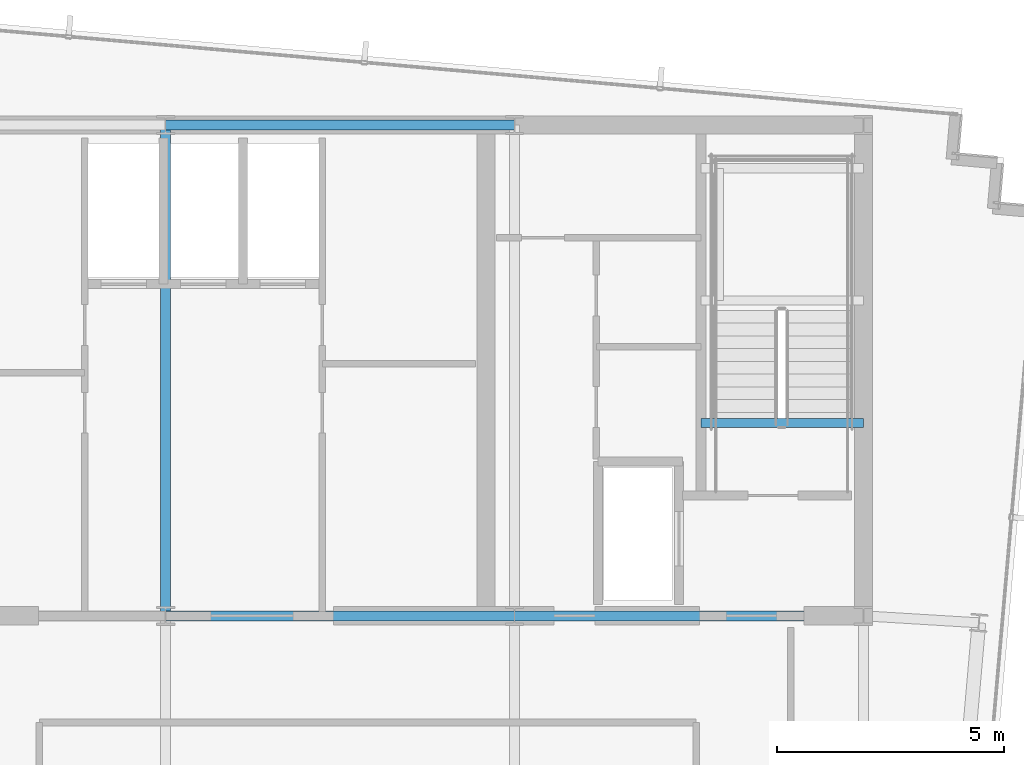
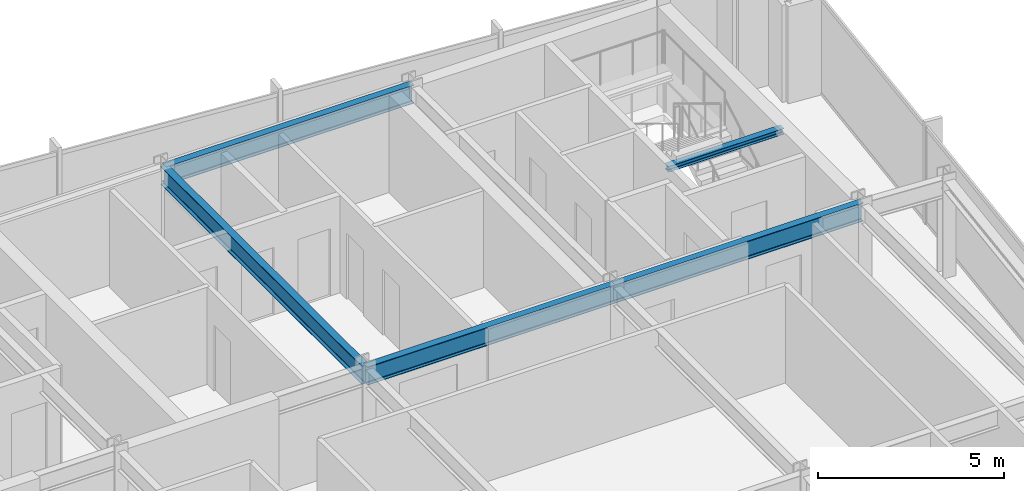
# One storey, part 18 of 32: 5 beams.
"""IFC4 building model written with IfcOpenShell, lengths in metres."""

from ifc_helpers import new_model, si_unit, direction, frame, origin, origin_2d, place, context, subcontext, project, spatial, i_section, extrude, material, material_profile, profile_set, type_object, element, save


model = new_model("IFC4")

# Units and contexts
model_context = context("Model", 3, precision=1e-05, world=origin(), true_north=direction((0.0, 1.0)))
body_context = subcontext(model_context, "Body", "Model", "MODEL_VIEW")
ifc_project = project(units=[si_unit("LENGTHUNIT", "METRE"), si_unit("AREAUNIT", "SQUARE_METRE"), si_unit("VOLUMEUNIT", "CUBIC_METRE"), si_unit("PLANEANGLEUNIT", "RADIAN"), si_unit("MASSUNIT", "GRAM", prefix="KILO")], contexts=[model_context])

# Site, building, storey
site_placement = place(None, origin())
site = spatial("IfcSite", under=ifc_project, at=site_placement, CompositionType="ELEMENT")
building_placement = place(site_placement, origin())
building = spatial("IfcBuilding", under=site, at=building_placement, Name="Yelkora Congress Tower", CompositionType="ELEMENT")
storey_placement = place(building_placement, frame((0.0, 0.0, 279.5)))
storey = spatial("IfcBuildingStorey", under=building, at=storey_placement, Name="L78", CompositionType="ELEMENT", Elevation=279.5)

# Beams
ifc_material = material(Name="Steel S355J2", Category="steel")
ifc_material_profile_1 = material_profile(ifc_material, i_section(OverallWidth=0.219970703125, OverallDepth=0.60009765625, WebThickness=0.011962890625, FlangeThickness=0.01904296875, FilletRadius=0.02392578125, at=origin_2d()), Name="IPE 600")
ifc_profile_set_1 = profile_set([ifc_material_profile_1], Name="Steel S355J2")
beam_type_1 = type_object("IfcBeamType", Name="BM-GIRD-IPE600", PredefinedType="BEAM", material=ifc_profile_set_1)
for number, where, z_axis, x_axis, name in (
    (1, (38.39990234375, 46.199951171875, 2.8798828125), (1.0, 0.0, 0.0), (0.0, 1.0, 0.0), "L78 Core North Girder 3"),
    (2, (38.39990234375, 35.39990234375, 2.8798828125), (1.0, 0.0, 0.0), (0.0, 1.0, 0.0), "L78 Core South Girder 3"),
):
    element("IfcBeam", number, at=place(storey_placement, frame(where, z_axis=z_axis, x_axis=x_axis)), inside=storey, type_object=beam_type_1, Name=name, PredefinedType="BEAM", context=body_context, shape_type="SweptSolid", body=[
        extrude(i_section(OverallWidth=0.219970703125, OverallDepth=0.60009765625, WebThickness=0.011962890625, FlangeThickness=0.01904296875, FilletRadius=0.02392578125, at=origin_2d()), origin(), (0.0, 0.0, 1.0), 7.68017578125),
    ])
beam_1_placement = place(storey_placement, frame((46.080078125, 35.39990234375, 2.8798828125), z_axis=(1.0, 0.0, 0.0), x_axis=(0.0, 1.0, 0.0)))
element("IfcBeam", 3, at=beam_1_placement, inside=storey, type_object=beam_type_1, Name="L78 Core South Girder 4", PredefinedType="BEAM", context=body_context, shape_type="SweptSolid", body=[
    extrude(i_section(OverallWidth=0.219970703125, OverallDepth=0.60009765625, WebThickness=0.011962890625, FlangeThickness=0.01904296875, FilletRadius=0.02392578125, at=origin_2d()), origin(), (0.0, 0.0, 1.0), 7.679931640625),
])
beam_2_placement = place(storey_placement, frame((38.39990234375, 35.39990234375, 2.8798828125), z_axis=(0.0, 1.0, 0.0), x_axis=(-1.0, 0.0, 0.0)))
element("IfcBeam", 4, at=beam_2_placement, inside=storey, type_object=beam_type_1, Name="L78 Core Tie Girder MC-S3", PredefinedType="BEAM", context=body_context, shape_type="SweptSolid", body=[
    extrude(i_section(OverallWidth=0.219970703125, OverallDepth=0.60009765625, WebThickness=0.011962890625, FlangeThickness=0.01904296875, FilletRadius=0.02392578125, at=origin_2d()), origin(), (0.0, 0.0, 1.0), 10.800048828125),
])
ifc_material_profile_2 = material_profile(ifc_material, i_section(OverallWidth=0.199951171875, OverallDepth=0.18994140625, WebThickness=0.006591796875, FlangeThickness=0.010009765625, FilletRadius=0.01806640625, at=origin_2d()), Name="HEA 200")
ifc_profile_set_2 = profile_set([ifc_material_profile_2], Name="Steel S355J2")
beam_type_2 = type_object("IfcBeamType", Name="BM-LAND-HEA200", PredefinedType="BEAM", material=ifc_profile_set_2)
beam_3_placement = place(storey_placement, frame((50.179931640625, 39.639892578125, 2.947509765625), z_axis=(1.0, 0.0, 0.0), x_axis=(0.0, 1.0, 0.0)))
element("IfcBeam", 5, at=beam_3_placement, inside=storey, type_object=beam_type_2, Name="ST-02 L78 Floor Arrival Stringer Header Beam", PredefinedType="BEAM", context=body_context, shape_type="SweptSolid", body=[
    extrude(i_section(OverallWidth=0.199951171875, OverallDepth=0.18994140625, WebThickness=0.006591796875, FlangeThickness=0.010009765625, FilletRadius=0.01806640625, at=origin_2d()), origin(), (0.0, 0.0, 1.0), 3.580078125),
])

save(model, "model.ifc")
